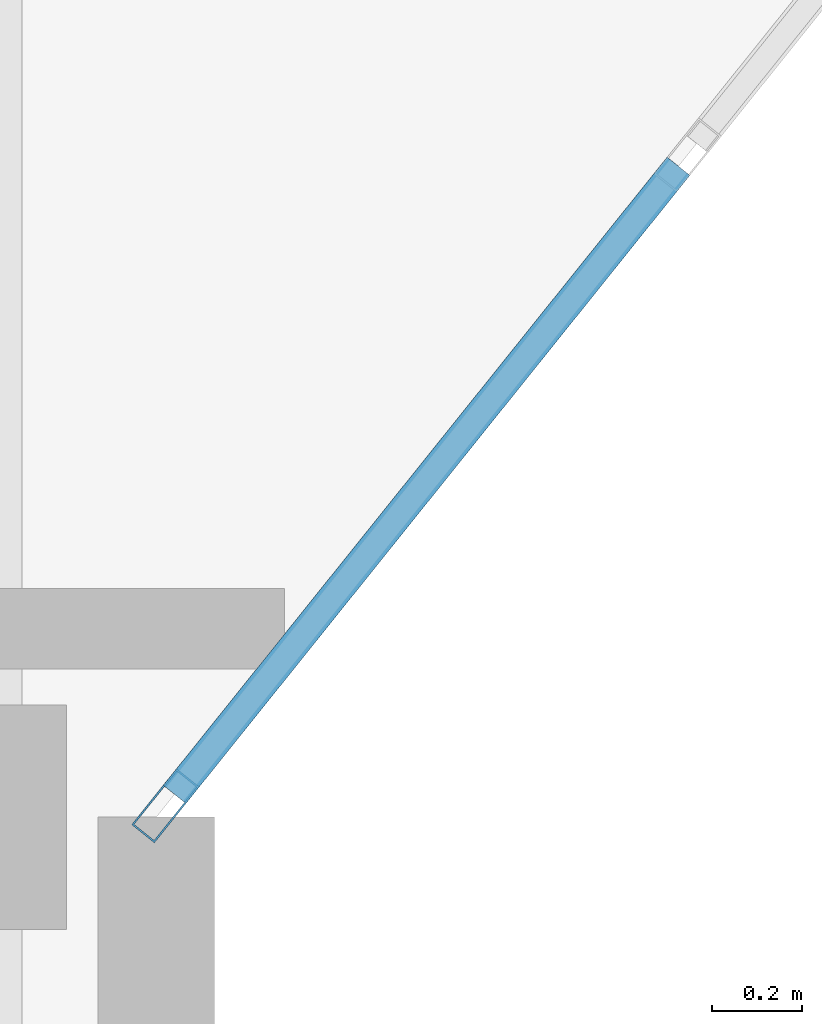
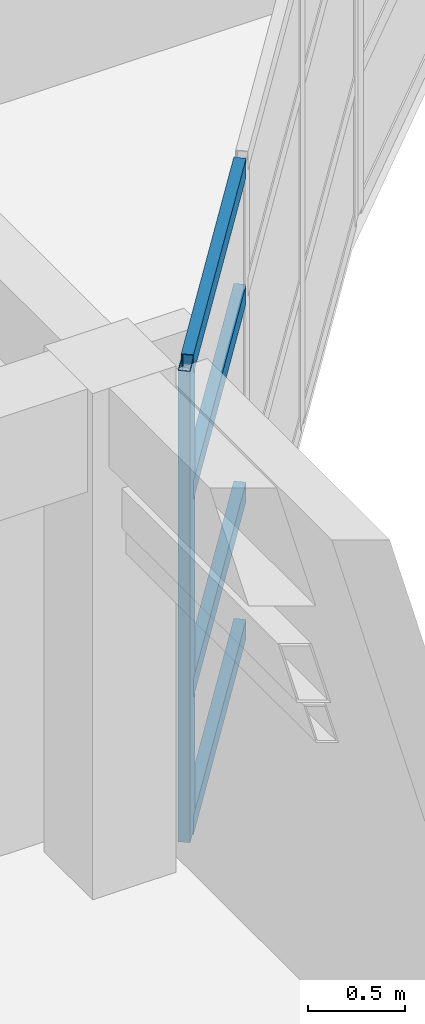
# One storey, part 5 of 39: 5 members, 1 element without a shape of its own.
"""IFC4 building model written with IfcOpenShell, lengths in metres."""

from ifc_helpers import new_model, si_unit, direction, frame, origin, origin_2d, place, context, subcontext, project, spatial, hollow_rectangle, extrude, material, layer, layer_set, material_profile, profile_set, type_object, element, aggregate, save


model = new_model("IFC4")

# Units and contexts
model_context = context("Model", 3, precision=1e-05, world=origin(), true_north=direction((0.0, 1.0)))
body_context = subcontext(model_context, "Body", "Model", "MODEL_VIEW")
ifc_project = project(units=[si_unit("LENGTHUNIT", "METRE"), si_unit("AREAUNIT", "SQUARE_METRE"), si_unit("VOLUMEUNIT", "CUBIC_METRE"), si_unit("PLANEANGLEUNIT", "RADIAN"), si_unit("MASSUNIT", "GRAM", prefix="KILO")], contexts=[model_context])

# Site, building, storey
site_placement = place(None, origin())
site = spatial("IfcSite", under=ifc_project, at=site_placement, CompositionType="ELEMENT")
building_placement = place(site_placement, origin())
building = spatial("IfcBuilding", under=site, at=building_placement, Name="Keldmere Railside Commons", CompositionType="ELEMENT")
storey_placement = place(building_placement, frame((0.0, 0.0, 32.9599609375)))
storey = spatial("IfcBuildingStorey", under=building, at=storey_placement, Name="L10", CompositionType="ELEMENT", Elevation=32.9599609375)

# Curtain wall, members
ifc_material = material(Name="Thermally Broken Aluminium", Category="aluminium")
ifc_layer = layer(ifc_material, 0.159912109375, Name="Court Chord Wintergarden CW 4800x2850")
ifc_layer_set = layer_set([ifc_layer], Name="Thermally Broken Aluminium")
curtain_wall_type = type_object("IfcCurtainWallType", Name="Court Chord Wintergarden CW 4800x2850", PredefinedType="NOTDEFINED", material=ifc_layer_set)
curtain_wall_placement = place(storey_placement, origin())
curtain_wall = element("IfcCurtainWall", 1, at=curtain_wall_placement, inside=storey, type_object=curtain_wall_type, Name="CW-12 CW-L10-145", PredefinedType="NOTDEFINED")
ifc_material_profile_1 = material_profile(ifc_material, hollow_rectangle(XDim=0.06494140625, YDim=0.159912109375, WallThickness=0.00390625, at=origin_2d()), Name="ALU-MULL-65x160")
ifc_profile_set_1 = profile_set([ifc_material_profile_1], Name="Thermally Broken Aluminium")
member_type_1 = type_object("IfcMemberType", Name="Unitised Curtain Wall Mullion 65x160", PredefinedType="MULLION", material=ifc_profile_set_1)
member_1_placement = place(storey_placement, frame((120.020263671875, 88.025390625, 0.0), z_axis=(0.0, 0.0, 1.0), x_axis=(0.780009172323, -0.625768080915, 0.0)))
member_1 = element("IfcMember", 2, at=member_1_placement, type_object=member_type_1, Name="CW-12 mullion 4", PredefinedType="MULLION", context=body_context, shape_type="SweptSolid", body=[
    extrude(hollow_rectangle(XDim=0.06494140625, YDim=0.159912109375, WallThickness=0.00390625, at=origin_2d()), origin(), (0.0, 0.0, 1.0), 2.97998046875),
])
ifc_material_profile_2 = material_profile(ifc_material, hollow_rectangle(XDim=0.06494140625, YDim=0.1201171875, WallThickness=0.00390625, at=origin_2d()), Name="ALU-TRAN-65x120")
ifc_profile_set_2 = profile_set([ifc_material_profile_2], Name="Thermally Broken Aluminium")
member_type_2 = type_object("IfcMemberType", Name="Unitised Curtain Wall Transom 65x120", PredefinedType="USERDEFINED", material=ifc_profile_set_2)
member_2_placement = place(storey_placement, frame((121.164306640625, 89.451416015625, 0.032470703125), z_axis=(-0.625722553313, -0.780045694992, 0.0), x_axis=(0.780045694992, -0.625722553313, 0.0)))
member_2 = element("IfcMember", 3, at=member_2_placement, type_object=member_type_2, Name="CW-12 transom 3.1", ObjectType="TRANSOM", PredefinedType="USERDEFINED", context=body_context, shape_type="SweptSolid", body=[
    extrude(hollow_rectangle(XDim=0.06494140625, YDim=0.1201171875, WallThickness=0.00390625, at=origin_2d()), origin(), (0.0, 0.0, 1.0), 1.795654296875),
])
member_3_placement = place(storey_placement, frame((121.164306640625, 89.451416015625, 0.900146484375), z_axis=(-0.625722553313, -0.780045694992, 0.0), x_axis=(0.780045694992, -0.625722553313, 0.0)))
member_3 = element("IfcMember", 4, at=member_3_placement, type_object=member_type_2, Name="CW-12 transom 3.2", ObjectType="TRANSOM", PredefinedType="USERDEFINED", context=body_context, shape_type="SweptSolid", body=[
    extrude(hollow_rectangle(XDim=0.06494140625, YDim=0.1201171875, WallThickness=0.00390625, at=origin_2d()), origin(), (0.0, 0.0, 1.0), 1.795654296875),
])
member_4_placement = place(storey_placement, frame((121.164306640625, 89.451416015625, 2.150146484375), z_axis=(-0.625722553313, -0.780045694992, 0.0), x_axis=(0.780045694992, -0.625722553313, 0.0)))
member_4 = element("IfcMember", 5, at=member_4_placement, type_object=member_type_2, Name="CW-12 transom 3.3", ObjectType="TRANSOM", PredefinedType="USERDEFINED", context=body_context, shape_type="SweptSolid", body=[
    extrude(hollow_rectangle(XDim=0.06494140625, YDim=0.1201171875, WallThickness=0.00390625, at=origin_2d()), origin(), (0.0, 0.0, 1.0), 1.795654296875),
])
member_5_placement = place(storey_placement, frame((121.164306640625, 89.451416015625, 2.947509765625), z_axis=(-0.625722553313, -0.780045694992, 0.0), x_axis=(0.780045694992, -0.625722553313, 0.0)))
member_5 = element("IfcMember", 6, at=member_5_placement, type_object=member_type_2, Name="CW-12 transom 3.4", ObjectType="TRANSOM", PredefinedType="USERDEFINED", context=body_context, shape_type="SweptSolid", body=[
    extrude(hollow_rectangle(XDim=0.06494140625, YDim=0.1201171875, WallThickness=0.00390625, at=origin_2d()), origin(), (0.0, 0.0, 1.0), 1.795654296875),
])
aggregate(curtain_wall, [member_1, member_2, member_3, member_4, member_5])

save(model, "model.ifc")
